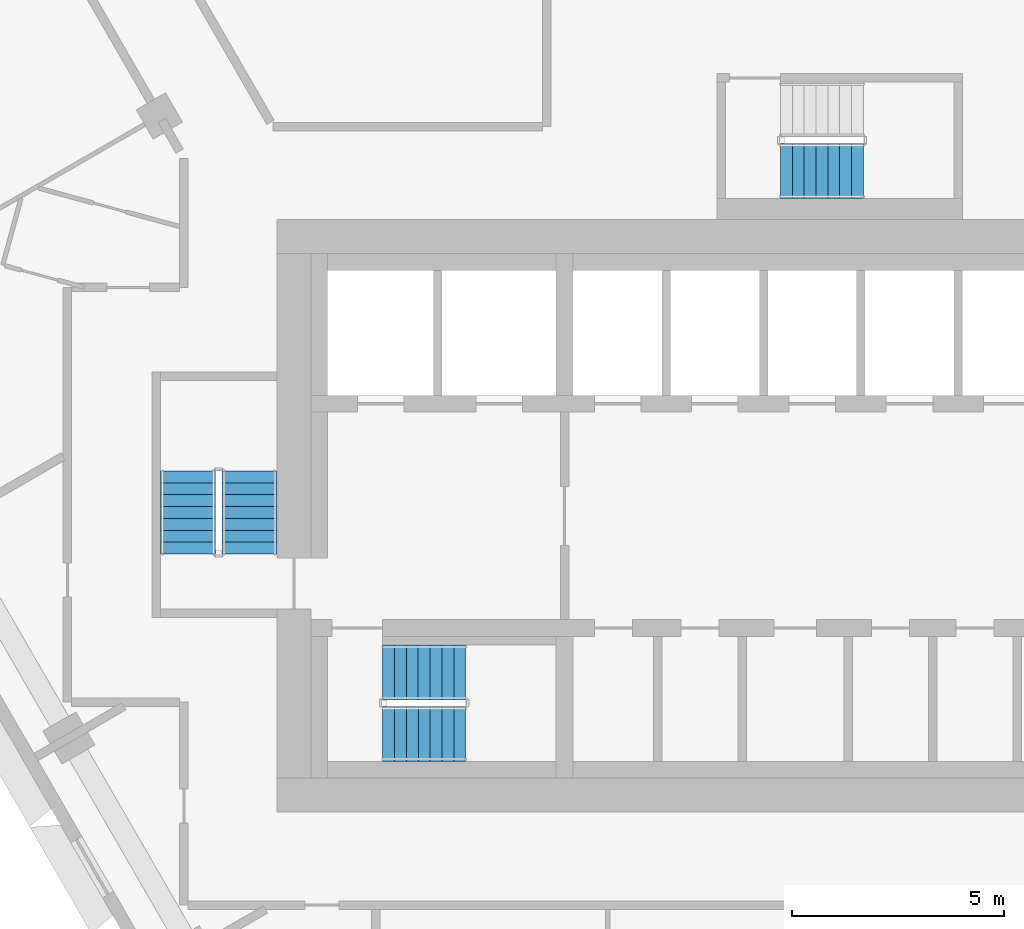
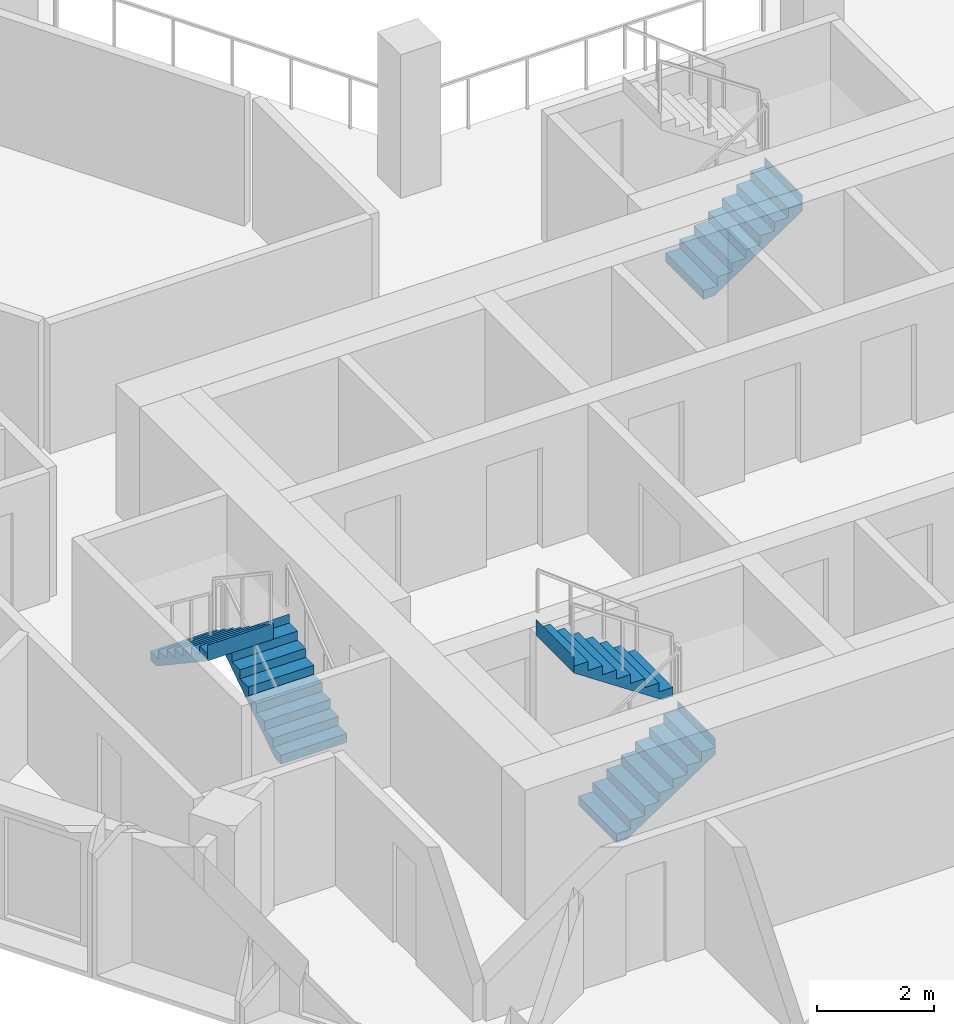
# One storey, part 10 of 15: 5 stair flights, 3 elements without a shape of their own.
"""IFC4 building model written with IfcOpenShell, lengths in metres."""

from ifc_helpers import new_model, si_unit, direction, frame, origin, place, context, subcontext, project, spatial, triangles, material, type_object, element, aggregate, save


model = new_model("IFC4")

# Units and contexts
model_context = context("Model", 3, precision=1e-05, world=origin(), true_north=direction((0.0, 1.0)))
body_context = subcontext(model_context, "Body", "Model", "MODEL_VIEW")
ifc_project = project(units=[si_unit("LENGTHUNIT", "METRE"), si_unit("AREAUNIT", "SQUARE_METRE"), si_unit("VOLUMEUNIT", "CUBIC_METRE"), si_unit("PLANEANGLEUNIT", "RADIAN"), si_unit("MASSUNIT", "GRAM", prefix="KILO")], contexts=[model_context])

# Site, building, storey
site_placement = place(None, origin())
site = spatial("IfcSite", under=ifc_project, at=site_placement, CompositionType="ELEMENT")
building_placement = place(site_placement, origin())
building = spatial("IfcBuilding", under=site, at=building_placement, Name="Beryl Residences", CompositionType="ELEMENT")
storey_placement = place(building_placement, frame((0.0, 0.0, 141.60009765625)))
storey = spatial("IfcBuildingStorey", under=building, at=storey_placement, Name="L43", CompositionType="ELEMENT", Elevation=141.60009765625)

# Stair, stair flights
ifc_material_1 = material(Name="Concrete C40/50", Category="concrete")
stair_type = type_object("IfcStairType", Name="ST1 protected exit stair, half-turn, 1300 mm flights", PredefinedType="HALF_TURN_STAIR", material=ifc_material_1)
stair_1_placement = place(storey_placement, origin())
stair_1 = element("IfcStair", 1, at=stair_1_placement, inside=storey, type_object=stair_type, Name="L43 PROTECTED EXIT STAIR ST-1", PredefinedType="HALF_TURN_STAIR")
ifc_material_2 = material(Name="Concrete C40/50", Category="concrete")
stair_flight_type = type_object("IfcStairFlightType", Name="SF1 stair flight 1300 mm", PredefinedType="STRAIGHT", material=ifc_material_2)
stair_flight_1_placement = place(storey_placement, frame((-10.800048828125, -17.14990234375, 0.0), z_axis=(0.0, 0.0, 1.0), x_axis=(1.0, 0.0, 0.0)))
stair_flight_1 = element("IfcStairFlight", 2, at=stair_flight_1_placement, type_object=stair_flight_type, Name="ST-1 flight 1", NumberOfRisers=8, NumberOfTreads=7, PredefinedType="STRAIGHT", RiserHeight=0.1875, TreadLength=0.28, context=body_context, shape_type="Tessellation", body=[
    triangles([(0.0, -0.64990234375, 0.0), (0.0, -0.324951171875, 0.0), (0.0, 0.0, 0.0), (0.0, 0.324951171875, 0.0), (0.0, 0.64990234375, 0.0), (0.0, -0.64990234375, 0.1875), (0.0, -0.324951171875, 0.1875), (0.0, 0.0, 0.1875), (0.0, 0.324951171875, 0.1875), (0.0, 0.64990234375, 0.1875), (0.280029296875, -0.64990234375, 0.1875), (0.280029296875, -0.324951171875, 0.1875), (0.280029296875, 0.0, 0.1875), (0.280029296875, 0.324951171875, 0.1875), (0.280029296875, 0.64990234375, 0.1875), (0.280029296875, -0.64990234375, 0.375), (0.280029296875, -0.324951171875, 0.375), (0.280029296875, 0.0, 0.375), (0.280029296875, 0.324951171875, 0.375), (0.280029296875, 0.64990234375, 0.375), (0.56005859375, -0.64990234375, 0.375), (0.56005859375, -0.324951171875, 0.375), (0.56005859375, 0.0, 0.375), (0.56005859375, 0.324951171875, 0.375), (0.56005859375, 0.64990234375, 0.375), (0.56005859375, -0.64990234375, 0.5625), (0.56005859375, -0.324951171875, 0.5625), (0.56005859375, 0.0, 0.5625), (0.56005859375, 0.324951171875, 0.5625), (0.56005859375, 0.64990234375, 0.5625), (0.840087890625, -0.64990234375, 0.5625), (0.840087890625, -0.324951171875, 0.5625), (0.840087890625, 0.0, 0.5625), (0.840087890625, 0.324951171875, 0.5625), (0.840087890625, 0.64990234375, 0.5625), (0.840087890625, -0.64990234375, 0.75), (0.840087890625, -0.324951171875, 0.75), (0.840087890625, 0.0, 0.75), (0.840087890625, 0.324951171875, 0.75), (0.840087890625, 0.64990234375, 0.75), (1.1201171875, -0.64990234375, 0.75), (1.1201171875, -0.324951171875, 0.75), (1.1201171875, 0.0, 0.75), (1.1201171875, 0.324951171875, 0.75), (1.1201171875, 0.64990234375, 0.75), (1.1201171875, -0.64990234375, 0.9375), (1.1201171875, -0.324951171875, 0.9375), (1.1201171875, 0.0, 0.9375), (1.1201171875, 0.324951171875, 0.9375), (1.1201171875, 0.64990234375, 0.9375), (1.39990234375, -0.64990234375, 0.9375), (1.39990234375, -0.324951171875, 0.9375), (1.39990234375, 0.0, 0.9375), (1.39990234375, 0.324951171875, 0.9375), (1.39990234375, 0.64990234375, 0.9375), (1.39990234375, -0.64990234375, 1.125), (1.39990234375, -0.324951171875, 1.125), (1.39990234375, 0.0, 1.125), (1.39990234375, 0.324951171875, 1.125), (1.39990234375, 0.64990234375, 1.125), (1.679931640625, -0.64990234375, 1.125), (1.679931640625, -0.324951171875, 1.125), (1.679931640625, 0.0, 1.125), (1.679931640625, 0.324951171875, 1.125), (1.679931640625, 0.64990234375, 1.125), (1.679931640625, -0.64990234375, 1.3125), (1.679931640625, -0.324951171875, 1.3125), (1.679931640625, 0.0, 1.3125), (1.679931640625, 0.324951171875, 1.3125), (1.679931640625, 0.64990234375, 1.3125), (1.9599609375, -0.64990234375, 1.3125), (1.9599609375, -0.324951171875, 1.3125), (1.9599609375, 0.0, 1.3125), (1.9599609375, 0.324951171875, 1.3125), (1.9599609375, 0.64990234375, 1.3125), (1.9599609375, -0.64990234375, 1.5), (1.9599609375, -0.324951171875, 1.5), (1.9599609375, 0.0, 1.5), (1.9599609375, 0.324951171875, 1.5), (1.9599609375, 0.64990234375, 1.5), (1.9609375, -0.64990234375, 1.5), (1.9609375, -0.324951171875, 1.5), (1.9609375, 0.0, 1.5), (1.9609375, 0.324951171875, 1.5), (1.9609375, 0.64990234375, 1.5), (1.9609375, -0.64990234375, 1.16796875), (1.9609375, -0.324951171875, 1.16796875), (1.9609375, 0.0, 1.16796875), (1.9609375, 0.324951171875, 1.16796875), (1.9609375, 0.64990234375, 1.16796875), (0.216796875, -0.64990234375, 0.0), (0.216796875, -0.324951171875, 0.0), (0.216796875, 0.0, 0.0), (0.216796875, 0.324951171875, 0.0), (0.216796875, 0.64990234375, 0.0)], [[1, 6, 7], [1, 7, 2], [2, 7, 8], [2, 8, 3], [3, 8, 9], [3, 9, 4], [4, 9, 10], [4, 10, 5], [6, 11, 12], [6, 12, 7], [7, 12, 13], [7, 13, 8], [8, 13, 14], [8, 14, 9], [9, 14, 15], [9, 15, 10], [11, 16, 17], [11, 17, 12], [12, 17, 18], [12, 18, 13], [13, 18, 19], [13, 19, 14], [14, 19, 20], [14, 20, 15], [16, 21, 22], [16, 22, 17], [17, 22, 23], [17, 23, 18], [18, 23, 24], [18, 24, 19], [19, 24, 25], [19, 25, 20], [21, 26, 27], [21, 27, 22], [22, 27, 28], [22, 28, 23], [23, 28, 29], [23, 29, 24], [24, 29, 30], [24, 30, 25], [26, 31, 32], [26, 32, 27], [27, 32, 33], [27, 33, 28], [28, 33, 34], [28, 34, 29], [29, 34, 35], [29, 35, 30], [31, 36, 37], [31, 37, 32], [32, 37, 38], [32, 38, 33], [33, 38, 39], [33, 39, 34], [34, 39, 40], [34, 40, 35], [36, 41, 42], [36, 42, 37], [37, 42, 43], [37, 43, 38], [38, 43, 44], [38, 44, 39], [39, 44, 45], [39, 45, 40], [41, 46, 47], [41, 47, 42], [42, 47, 48], [42, 48, 43], [43, 48, 49], [43, 49, 44], [44, 49, 50], [44, 50, 45], [46, 51, 52], [46, 52, 47], [47, 52, 53], [47, 53, 48], [48, 53, 54], [48, 54, 49], [49, 54, 55], [49, 55, 50], [51, 56, 57], [51, 57, 52], [52, 57, 58], [52, 58, 53], [53, 58, 59], [53, 59, 54], [54, 59, 60], [54, 60, 55], [56, 61, 62], [56, 62, 57], [57, 62, 63], [57, 63, 58], [58, 63, 64], [58, 64, 59], [59, 64, 65], [59, 65, 60], [61, 66, 67], [61, 67, 62], [62, 67, 68], [62, 68, 63], [63, 68, 69], [63, 69, 64], [64, 69, 70], [64, 70, 65], [66, 71, 72], [66, 72, 67], [67, 72, 73], [67, 73, 68], [68, 73, 74], [68, 74, 69], [69, 74, 75], [69, 75, 70], [71, 76, 77], [71, 77, 72], [72, 77, 78], [72, 78, 73], [73, 78, 79], [73, 79, 74], [74, 79, 80], [74, 80, 75], [76, 81, 82], [76, 82, 77], [77, 82, 83], [77, 83, 78], [78, 83, 84], [78, 84, 79], [79, 84, 85], [79, 85, 80], [81, 86, 87], [81, 87, 82], [82, 87, 88], [82, 88, 83], [83, 88, 89], [83, 89, 84], [84, 89, 90], [84, 90, 85], [86, 91, 92], [86, 92, 87], [87, 92, 93], [87, 93, 88], [88, 93, 94], [88, 94, 89], [89, 94, 95], [89, 95, 90], [91, 1, 2], [91, 2, 92], [92, 2, 3], [92, 3, 93], [93, 3, 4], [93, 4, 94], [94, 4, 5], [94, 5, 95], [1, 91, 86], [5, 90, 95], [86, 81, 76], [90, 80, 85], [86, 76, 71], [90, 75, 80], [86, 71, 66], [90, 70, 75], [86, 66, 61], [90, 65, 70], [61, 56, 51], [65, 55, 60], [86, 61, 51], [90, 55, 65], [51, 46, 41], [55, 45, 50], [86, 51, 41], [90, 45, 55], [41, 36, 31], [45, 35, 40], [86, 41, 31], [90, 35, 45], [31, 26, 21], [35, 25, 30], [86, 31, 21], [90, 25, 35], [21, 16, 11], [25, 15, 20], [86, 21, 11], [90, 15, 25], [1, 86, 11], [5, 15, 90], [11, 6, 1], [15, 5, 10]], closed=True),
])
stair_flight_2_placement = place(storey_placement, frame((-8.840087890625, -15.699951171875, 1.5), z_axis=(0.0, 0.0, 1.0), x_axis=(-1.0, 0.0, 0.0)))
stair_flight_2 = element("IfcStairFlight", 3, at=stair_flight_2_placement, type_object=stair_flight_type, Name="ST-1 flight 2", NumberOfRisers=8, NumberOfTreads=7, PredefinedType="STRAIGHT", RiserHeight=0.1875, TreadLength=0.28, context=body_context, shape_type="Tessellation", body=[
    triangles([(0.0, -0.64990234375, 0.0), (0.0, -0.324951171875, 0.0), (0.0, 0.0, 0.0), (0.0, 0.324951171875, 0.0), (0.0, 0.64990234375, 0.0), (0.0, -0.64990234375, 0.1875), (0.0, -0.324951171875, 0.1875), (0.0, 0.0, 0.1875), (0.0, 0.324951171875, 0.1875), (0.0, 0.64990234375, 0.1875), (0.280029296875, -0.64990234375, 0.1875), (0.280029296875, -0.324951171875, 0.1875), (0.280029296875, 0.0, 0.1875), (0.280029296875, 0.324951171875, 0.1875), (0.280029296875, 0.64990234375, 0.1875), (0.280029296875, -0.64990234375, 0.375), (0.280029296875, -0.324951171875, 0.375), (0.280029296875, 0.0, 0.375), (0.280029296875, 0.324951171875, 0.375), (0.280029296875, 0.64990234375, 0.375), (0.56005859375, -0.64990234375, 0.375), (0.56005859375, -0.324951171875, 0.375), (0.56005859375, 0.0, 0.375), (0.56005859375, 0.324951171875, 0.375), (0.56005859375, 0.64990234375, 0.375), (0.56005859375, -0.64990234375, 0.5625), (0.56005859375, -0.324951171875, 0.5625), (0.56005859375, 0.0, 0.5625), (0.56005859375, 0.324951171875, 0.5625), (0.56005859375, 0.64990234375, 0.5625), (0.840087890625, -0.64990234375, 0.5625), (0.840087890625, -0.324951171875, 0.5625), (0.840087890625, 0.0, 0.5625), (0.840087890625, 0.324951171875, 0.5625), (0.840087890625, 0.64990234375, 0.5625), (0.840087890625, -0.64990234375, 0.75), (0.840087890625, -0.324951171875, 0.75), (0.840087890625, 0.0, 0.75), (0.840087890625, 0.324951171875, 0.75), (0.840087890625, 0.64990234375, 0.75), (1.1201171875, -0.64990234375, 0.75), (1.1201171875, -0.324951171875, 0.75), (1.1201171875, 0.0, 0.75), (1.1201171875, 0.324951171875, 0.75), (1.1201171875, 0.64990234375, 0.75), (1.1201171875, -0.64990234375, 0.9375), (1.1201171875, -0.324951171875, 0.9375), (1.1201171875, 0.0, 0.9375), (1.1201171875, 0.324951171875, 0.9375), (1.1201171875, 0.64990234375, 0.9375), (1.39990234375, -0.64990234375, 0.9375), (1.39990234375, -0.324951171875, 0.9375), (1.39990234375, 0.0, 0.9375), (1.39990234375, 0.324951171875, 0.9375), (1.39990234375, 0.64990234375, 0.9375), (1.39990234375, -0.64990234375, 1.125), (1.39990234375, -0.324951171875, 1.125), (1.39990234375, 0.0, 1.125), (1.39990234375, 0.324951171875, 1.125), (1.39990234375, 0.64990234375, 1.125), (1.679931640625, -0.64990234375, 1.125), (1.679931640625, -0.324951171875, 1.125), (1.679931640625, 0.0, 1.125), (1.679931640625, 0.324951171875, 1.125), (1.679931640625, 0.64990234375, 1.125), (1.679931640625, -0.64990234375, 1.3125), (1.679931640625, -0.324951171875, 1.3125), (1.679931640625, 0.0, 1.3125), (1.679931640625, 0.324951171875, 1.3125), (1.679931640625, 0.64990234375, 1.3125), (1.9599609375, -0.64990234375, 1.3125), (1.9599609375, -0.324951171875, 1.3125), (1.9599609375, 0.0, 1.3125), (1.9599609375, 0.324951171875, 1.3125), (1.9599609375, 0.64990234375, 1.3125), (1.9599609375, -0.64990234375, 1.5), (1.9599609375, -0.324951171875, 1.5), (1.9599609375, 0.0, 1.5), (1.9599609375, 0.324951171875, 1.5), (1.9599609375, 0.64990234375, 1.5), (1.9609375, -0.64990234375, 1.5), (1.9609375, -0.324951171875, 1.5), (1.9609375, 0.0, 1.5), (1.9609375, 0.324951171875, 1.5), (1.9609375, 0.64990234375, 1.5), (1.9609375, -0.64990234375, 1.16796875), (1.9609375, -0.324951171875, 1.16796875), (1.9609375, 0.0, 1.16796875), (1.9609375, 0.324951171875, 1.16796875), (1.9609375, 0.64990234375, 1.16796875), (0.216796875, -0.64990234375, 0.0), (0.216796875, -0.324951171875, 0.0), (0.216796875, 0.0, 0.0), (0.216796875, 0.324951171875, 0.0), (0.216796875, 0.64990234375, 0.0)], [[1, 6, 7], [1, 7, 2], [2, 7, 8], [2, 8, 3], [3, 8, 9], [3, 9, 4], [4, 9, 10], [4, 10, 5], [6, 11, 12], [6, 12, 7], [7, 12, 13], [7, 13, 8], [8, 13, 14], [8, 14, 9], [9, 14, 15], [9, 15, 10], [11, 16, 17], [11, 17, 12], [12, 17, 18], [12, 18, 13], [13, 18, 19], [13, 19, 14], [14, 19, 20], [14, 20, 15], [16, 21, 22], [16, 22, 17], [17, 22, 23], [17, 23, 18], [18, 23, 24], [18, 24, 19], [19, 24, 25], [19, 25, 20], [21, 26, 27], [21, 27, 22], [22, 27, 28], [22, 28, 23], [23, 28, 29], [23, 29, 24], [24, 29, 30], [24, 30, 25], [26, 31, 32], [26, 32, 27], [27, 32, 33], [27, 33, 28], [28, 33, 34], [28, 34, 29], [29, 34, 35], [29, 35, 30], [31, 36, 37], [31, 37, 32], [32, 37, 38], [32, 38, 33], [33, 38, 39], [33, 39, 34], [34, 39, 40], [34, 40, 35], [36, 41, 42], [36, 42, 37], [37, 42, 43], [37, 43, 38], [38, 43, 44], [38, 44, 39], [39, 44, 45], [39, 45, 40], [41, 46, 47], [41, 47, 42], [42, 47, 48], [42, 48, 43], [43, 48, 49], [43, 49, 44], [44, 49, 50], [44, 50, 45], [46, 51, 52], [46, 52, 47], [47, 52, 53], [47, 53, 48], [48, 53, 54], [48, 54, 49], [49, 54, 55], [49, 55, 50], [51, 56, 57], [51, 57, 52], [52, 57, 58], [52, 58, 53], [53, 58, 59], [53, 59, 54], [54, 59, 60], [54, 60, 55], [56, 61, 62], [56, 62, 57], [57, 62, 63], [57, 63, 58], [58, 63, 64], [58, 64, 59], [59, 64, 65], [59, 65, 60], [61, 66, 67], [61, 67, 62], [62, 67, 68], [62, 68, 63], [63, 68, 69], [63, 69, 64], [64, 69, 70], [64, 70, 65], [66, 71, 72], [66, 72, 67], [67, 72, 73], [67, 73, 68], [68, 73, 74], [68, 74, 69], [69, 74, 75], [69, 75, 70], [71, 76, 77], [71, 77, 72], [72, 77, 78], [72, 78, 73], [73, 78, 79], [73, 79, 74], [74, 79, 80], [74, 80, 75], [76, 81, 82], [76, 82, 77], [77, 82, 83], [77, 83, 78], [78, 83, 84], [78, 84, 79], [79, 84, 85], [79, 85, 80], [81, 86, 87], [81, 87, 82], [82, 87, 88], [82, 88, 83], [83, 88, 89], [83, 89, 84], [84, 89, 90], [84, 90, 85], [86, 91, 92], [86, 92, 87], [87, 92, 93], [87, 93, 88], [88, 93, 94], [88, 94, 89], [89, 94, 95], [89, 95, 90], [91, 1, 2], [91, 2, 92], [92, 2, 3], [92, 3, 93], [93, 3, 4], [93, 4, 94], [94, 4, 5], [94, 5, 95], [1, 91, 86], [5, 90, 95], [86, 81, 76], [90, 80, 85], [86, 76, 71], [90, 75, 80], [86, 71, 66], [90, 70, 75], [86, 66, 61], [90, 65, 70], [61, 56, 51], [65, 55, 60], [86, 61, 51], [90, 55, 65], [51, 46, 41], [55, 45, 50], [86, 51, 41], [90, 45, 55], [41, 36, 31], [45, 35, 40], [86, 41, 31], [90, 35, 45], [31, 26, 21], [35, 25, 30], [86, 31, 21], [90, 25, 35], [21, 16, 11], [25, 15, 20], [86, 21, 11], [90, 15, 25], [1, 86, 11], [5, 15, 90], [11, 6, 1], [15, 5, 10]], closed=True),
])
aggregate(stair_1, [stair_flight_1, stair_flight_2])

stair_2_placement = place(storey_placement, origin())
stair_2 = element("IfcStair", 4, at=stair_2_placement, inside=storey, type_object=stair_type, Name="L43 PROTECTED EXIT STAIR ST-2", PredefinedType="HALF_TURN_STAIR")
stair_flight_3_placement = place(storey_placement, frame((-13.949951171875, -12.89990234375, 0.0), z_axis=(0.0, 0.0, 1.0), x_axis=(0.0, 1.0, 0.0)))
stair_flight_3 = element("IfcStairFlight", 5, at=stair_flight_3_placement, type_object=stair_flight_type, Name="ST-2 flight 1", NumberOfRisers=8, NumberOfTreads=7, PredefinedType="STRAIGHT", RiserHeight=0.1875, TreadLength=0.28, context=body_context, shape_type="Tessellation", body=[
    triangles([(0.0, -0.64990234375, 0.0), (0.0, -0.324951171875, 0.0), (0.0, 0.0, 0.0), (0.0, 0.324951171875, 0.0), (0.0, 0.64990234375, 0.0), (0.0, -0.64990234375, 0.1875), (0.0, -0.324951171875, 0.1875), (0.0, 0.0, 0.1875), (0.0, 0.324951171875, 0.1875), (0.0, 0.64990234375, 0.1875), (0.280029296875, -0.64990234375, 0.1875), (0.280029296875, -0.324951171875, 0.1875), (0.280029296875, 0.0, 0.1875), (0.280029296875, 0.324951171875, 0.1875), (0.280029296875, 0.64990234375, 0.1875), (0.280029296875, -0.64990234375, 0.375), (0.280029296875, -0.324951171875, 0.375), (0.280029296875, 0.0, 0.375), (0.280029296875, 0.324951171875, 0.375), (0.280029296875, 0.64990234375, 0.375), (0.56005859375, -0.64990234375, 0.375), (0.56005859375, -0.324951171875, 0.375), (0.56005859375, 0.0, 0.375), (0.56005859375, 0.324951171875, 0.375), (0.56005859375, 0.64990234375, 0.375), (0.56005859375, -0.64990234375, 0.5625), (0.56005859375, -0.324951171875, 0.5625), (0.56005859375, 0.0, 0.5625), (0.56005859375, 0.324951171875, 0.5625), (0.56005859375, 0.64990234375, 0.5625), (0.840087890625, -0.64990234375, 0.5625), (0.840087890625, -0.324951171875, 0.5625), (0.840087890625, 0.0, 0.5625), (0.840087890625, 0.324951171875, 0.5625), (0.840087890625, 0.64990234375, 0.5625), (0.840087890625, -0.64990234375, 0.75), (0.840087890625, -0.324951171875, 0.75), (0.840087890625, 0.0, 0.75), (0.840087890625, 0.324951171875, 0.75), (0.840087890625, 0.64990234375, 0.75), (1.1201171875, -0.64990234375, 0.75), (1.1201171875, -0.324951171875, 0.75), (1.1201171875, 0.0, 0.75), (1.1201171875, 0.324951171875, 0.75), (1.1201171875, 0.64990234375, 0.75), (1.1201171875, -0.64990234375, 0.9375), (1.1201171875, -0.324951171875, 0.9375), (1.1201171875, 0.0, 0.9375), (1.1201171875, 0.324951171875, 0.9375), (1.1201171875, 0.64990234375, 0.9375), (1.39990234375, -0.64990234375, 0.9375), (1.39990234375, -0.324951171875, 0.9375), (1.39990234375, 0.0, 0.9375), (1.39990234375, 0.324951171875, 0.9375), (1.39990234375, 0.64990234375, 0.9375), (1.39990234375, -0.64990234375, 1.125), (1.39990234375, -0.324951171875, 1.125), (1.39990234375, 0.0, 1.125), (1.39990234375, 0.324951171875, 1.125), (1.39990234375, 0.64990234375, 1.125), (1.679931640625, -0.64990234375, 1.125), (1.679931640625, -0.324951171875, 1.125), (1.679931640625, 0.0, 1.125), (1.679931640625, 0.324951171875, 1.125), (1.679931640625, 0.64990234375, 1.125), (1.679931640625, -0.64990234375, 1.3125), (1.679931640625, -0.324951171875, 1.3125), (1.679931640625, 0.0, 1.3125), (1.679931640625, 0.324951171875, 1.3125), (1.679931640625, 0.64990234375, 1.3125), (1.9599609375, -0.64990234375, 1.3125), (1.9599609375, -0.324951171875, 1.3125), (1.9599609375, 0.0, 1.3125), (1.9599609375, 0.324951171875, 1.3125), (1.9599609375, 0.64990234375, 1.3125), (1.9599609375, -0.64990234375, 1.5), (1.9599609375, -0.324951171875, 1.5), (1.9599609375, 0.0, 1.5), (1.9599609375, 0.324951171875, 1.5), (1.9599609375, 0.64990234375, 1.5), (1.9609375, -0.64990234375, 1.5), (1.9609375, -0.324951171875, 1.5), (1.9609375, 0.0, 1.5), (1.9609375, 0.324951171875, 1.5), (1.9609375, 0.64990234375, 1.5), (1.9609375, -0.64990234375, 1.16796875), (1.9609375, -0.324951171875, 1.16796875), (1.9609375, 0.0, 1.16796875), (1.9609375, 0.324951171875, 1.16796875), (1.9609375, 0.64990234375, 1.16796875), (0.216796875, -0.64990234375, 0.0), (0.216796875, -0.324951171875, 0.0), (0.216796875, 0.0, 0.0), (0.216796875, 0.324951171875, 0.0), (0.216796875, 0.64990234375, 0.0)], [[1, 6, 7], [1, 7, 2], [2, 7, 8], [2, 8, 3], [3, 8, 9], [3, 9, 4], [4, 9, 10], [4, 10, 5], [6, 11, 12], [6, 12, 7], [7, 12, 13], [7, 13, 8], [8, 13, 14], [8, 14, 9], [9, 14, 15], [9, 15, 10], [11, 16, 17], [11, 17, 12], [12, 17, 18], [12, 18, 13], [13, 18, 19], [13, 19, 14], [14, 19, 20], [14, 20, 15], [16, 21, 22], [16, 22, 17], [17, 22, 23], [17, 23, 18], [18, 23, 24], [18, 24, 19], [19, 24, 25], [19, 25, 20], [21, 26, 27], [21, 27, 22], [22, 27, 28], [22, 28, 23], [23, 28, 29], [23, 29, 24], [24, 29, 30], [24, 30, 25], [26, 31, 32], [26, 32, 27], [27, 32, 33], [27, 33, 28], [28, 33, 34], [28, 34, 29], [29, 34, 35], [29, 35, 30], [31, 36, 37], [31, 37, 32], [32, 37, 38], [32, 38, 33], [33, 38, 39], [33, 39, 34], [34, 39, 40], [34, 40, 35], [36, 41, 42], [36, 42, 37], [37, 42, 43], [37, 43, 38], [38, 43, 44], [38, 44, 39], [39, 44, 45], [39, 45, 40], [41, 46, 47], [41, 47, 42], [42, 47, 48], [42, 48, 43], [43, 48, 49], [43, 49, 44], [44, 49, 50], [44, 50, 45], [46, 51, 52], [46, 52, 47], [47, 52, 53], [47, 53, 48], [48, 53, 54], [48, 54, 49], [49, 54, 55], [49, 55, 50], [51, 56, 57], [51, 57, 52], [52, 57, 58], [52, 58, 53], [53, 58, 59], [53, 59, 54], [54, 59, 60], [54, 60, 55], [56, 61, 62], [56, 62, 57], [57, 62, 63], [57, 63, 58], [58, 63, 64], [58, 64, 59], [59, 64, 65], [59, 65, 60], [61, 66, 67], [61, 67, 62], [62, 67, 68], [62, 68, 63], [63, 68, 69], [63, 69, 64], [64, 69, 70], [64, 70, 65], [66, 71, 72], [66, 72, 67], [67, 72, 73], [67, 73, 68], [68, 73, 74], [68, 74, 69], [69, 74, 75], [69, 75, 70], [71, 76, 77], [71, 77, 72], [72, 77, 78], [72, 78, 73], [73, 78, 79], [73, 79, 74], [74, 79, 80], [74, 80, 75], [76, 81, 82], [76, 82, 77], [77, 82, 83], [77, 83, 78], [78, 83, 84], [78, 84, 79], [79, 84, 85], [79, 85, 80], [81, 86, 87], [81, 87, 82], [82, 87, 88], [82, 88, 83], [83, 88, 89], [83, 89, 84], [84, 89, 90], [84, 90, 85], [86, 91, 92], [86, 92, 87], [87, 92, 93], [87, 93, 88], [88, 93, 94], [88, 94, 89], [89, 94, 95], [89, 95, 90], [91, 1, 2], [91, 2, 92], [92, 2, 3], [92, 3, 93], [93, 3, 4], [93, 4, 94], [94, 4, 5], [94, 5, 95], [1, 91, 86], [5, 90, 95], [86, 81, 76], [90, 80, 85], [86, 76, 71], [90, 75, 80], [86, 71, 66], [90, 70, 75], [86, 66, 61], [90, 65, 70], [61, 56, 51], [65, 55, 60], [86, 61, 51], [90, 55, 65], [51, 46, 41], [55, 45, 50], [86, 51, 41], [90, 45, 55], [41, 36, 31], [45, 35, 40], [86, 41, 31], [90, 35, 45], [31, 26, 21], [35, 25, 30], [86, 31, 21], [90, 25, 35], [21, 16, 11], [25, 15, 20], [86, 21, 11], [90, 15, 25], [1, 86, 11], [5, 15, 90], [11, 6, 1], [15, 5, 10]], closed=True),
])
stair_flight_4_placement = place(storey_placement, frame((-15.39990234375, -10.93994140625, 1.5), z_axis=(0.0, 0.0, 1.0), x_axis=(0.0, -1.0, 0.0)))
stair_flight_4 = element("IfcStairFlight", 6, at=stair_flight_4_placement, type_object=stair_flight_type, Name="ST-2 flight 2", NumberOfRisers=8, NumberOfTreads=7, PredefinedType="STRAIGHT", RiserHeight=0.1875, TreadLength=0.28, context=body_context, shape_type="Tessellation", body=[
    triangles([(0.0, -0.64990234375, 0.0), (0.0, -0.324951171875, 0.0), (0.0, 0.0, 0.0), (0.0, 0.324951171875, 0.0), (0.0, 0.64990234375, 0.0), (0.0, -0.64990234375, 0.1875), (0.0, -0.324951171875, 0.1875), (0.0, 0.0, 0.1875), (0.0, 0.324951171875, 0.1875), (0.0, 0.64990234375, 0.1875), (0.280029296875, -0.64990234375, 0.1875), (0.280029296875, -0.324951171875, 0.1875), (0.280029296875, 0.0, 0.1875), (0.280029296875, 0.324951171875, 0.1875), (0.280029296875, 0.64990234375, 0.1875), (0.280029296875, -0.64990234375, 0.375), (0.280029296875, -0.324951171875, 0.375), (0.280029296875, 0.0, 0.375), (0.280029296875, 0.324951171875, 0.375), (0.280029296875, 0.64990234375, 0.375), (0.56005859375, -0.64990234375, 0.375), (0.56005859375, -0.324951171875, 0.375), (0.56005859375, 0.0, 0.375), (0.56005859375, 0.324951171875, 0.375), (0.56005859375, 0.64990234375, 0.375), (0.56005859375, -0.64990234375, 0.5625), (0.56005859375, -0.324951171875, 0.5625), (0.56005859375, 0.0, 0.5625), (0.56005859375, 0.324951171875, 0.5625), (0.56005859375, 0.64990234375, 0.5625), (0.840087890625, -0.64990234375, 0.5625), (0.840087890625, -0.324951171875, 0.5625), (0.840087890625, 0.0, 0.5625), (0.840087890625, 0.324951171875, 0.5625), (0.840087890625, 0.64990234375, 0.5625), (0.840087890625, -0.64990234375, 0.75), (0.840087890625, -0.324951171875, 0.75), (0.840087890625, 0.0, 0.75), (0.840087890625, 0.324951171875, 0.75), (0.840087890625, 0.64990234375, 0.75), (1.1201171875, -0.64990234375, 0.75), (1.1201171875, -0.324951171875, 0.75), (1.1201171875, 0.0, 0.75), (1.1201171875, 0.324951171875, 0.75), (1.1201171875, 0.64990234375, 0.75), (1.1201171875, -0.64990234375, 0.9375), (1.1201171875, -0.324951171875, 0.9375), (1.1201171875, 0.0, 0.9375), (1.1201171875, 0.324951171875, 0.9375), (1.1201171875, 0.64990234375, 0.9375), (1.39990234375, -0.64990234375, 0.9375), (1.39990234375, -0.324951171875, 0.9375), (1.39990234375, 0.0, 0.9375), (1.39990234375, 0.324951171875, 0.9375), (1.39990234375, 0.64990234375, 0.9375), (1.39990234375, -0.64990234375, 1.125), (1.39990234375, -0.324951171875, 1.125), (1.39990234375, 0.0, 1.125), (1.39990234375, 0.324951171875, 1.125), (1.39990234375, 0.64990234375, 1.125), (1.679931640625, -0.64990234375, 1.125), (1.679931640625, -0.324951171875, 1.125), (1.679931640625, 0.0, 1.125), (1.679931640625, 0.324951171875, 1.125), (1.679931640625, 0.64990234375, 1.125), (1.679931640625, -0.64990234375, 1.3125), (1.679931640625, -0.324951171875, 1.3125), (1.679931640625, 0.0, 1.3125), (1.679931640625, 0.324951171875, 1.3125), (1.679931640625, 0.64990234375, 1.3125), (1.9599609375, -0.64990234375, 1.3125), (1.9599609375, -0.324951171875, 1.3125), (1.9599609375, 0.0, 1.3125), (1.9599609375, 0.324951171875, 1.3125), (1.9599609375, 0.64990234375, 1.3125), (1.9599609375, -0.64990234375, 1.5), (1.9599609375, -0.324951171875, 1.5), (1.9599609375, 0.0, 1.5), (1.9599609375, 0.324951171875, 1.5), (1.9599609375, 0.64990234375, 1.5), (1.9609375, -0.64990234375, 1.5), (1.9609375, -0.324951171875, 1.5), (1.9609375, 0.0, 1.5), (1.9609375, 0.324951171875, 1.5), (1.9609375, 0.64990234375, 1.5), (1.9609375, -0.64990234375, 1.16796875), (1.9609375, -0.324951171875, 1.16796875), (1.9609375, 0.0, 1.16796875), (1.9609375, 0.324951171875, 1.16796875), (1.9609375, 0.64990234375, 1.16796875), (0.216796875, -0.64990234375, 0.0), (0.216796875, -0.324951171875, 0.0), (0.216796875, 0.0, 0.0), (0.216796875, 0.324951171875, 0.0), (0.216796875, 0.64990234375, 0.0)], [[1, 6, 7], [1, 7, 2], [2, 7, 8], [2, 8, 3], [3, 8, 9], [3, 9, 4], [4, 9, 10], [4, 10, 5], [6, 11, 12], [6, 12, 7], [7, 12, 13], [7, 13, 8], [8, 13, 14], [8, 14, 9], [9, 14, 15], [9, 15, 10], [11, 16, 17], [11, 17, 12], [12, 17, 18], [12, 18, 13], [13, 18, 19], [13, 19, 14], [14, 19, 20], [14, 20, 15], [16, 21, 22], [16, 22, 17], [17, 22, 23], [17, 23, 18], [18, 23, 24], [18, 24, 19], [19, 24, 25], [19, 25, 20], [21, 26, 27], [21, 27, 22], [22, 27, 28], [22, 28, 23], [23, 28, 29], [23, 29, 24], [24, 29, 30], [24, 30, 25], [26, 31, 32], [26, 32, 27], [27, 32, 33], [27, 33, 28], [28, 33, 34], [28, 34, 29], [29, 34, 35], [29, 35, 30], [31, 36, 37], [31, 37, 32], [32, 37, 38], [32, 38, 33], [33, 38, 39], [33, 39, 34], [34, 39, 40], [34, 40, 35], [36, 41, 42], [36, 42, 37], [37, 42, 43], [37, 43, 38], [38, 43, 44], [38, 44, 39], [39, 44, 45], [39, 45, 40], [41, 46, 47], [41, 47, 42], [42, 47, 48], [42, 48, 43], [43, 48, 49], [43, 49, 44], [44, 49, 50], [44, 50, 45], [46, 51, 52], [46, 52, 47], [47, 52, 53], [47, 53, 48], [48, 53, 54], [48, 54, 49], [49, 54, 55], [49, 55, 50], [51, 56, 57], [51, 57, 52], [52, 57, 58], [52, 58, 53], [53, 58, 59], [53, 59, 54], [54, 59, 60], [54, 60, 55], [56, 61, 62], [56, 62, 57], [57, 62, 63], [57, 63, 58], [58, 63, 64], [58, 64, 59], [59, 64, 65], [59, 65, 60], [61, 66, 67], [61, 67, 62], [62, 67, 68], [62, 68, 63], [63, 68, 69], [63, 69, 64], [64, 69, 70], [64, 70, 65], [66, 71, 72], [66, 72, 67], [67, 72, 73], [67, 73, 68], [68, 73, 74], [68, 74, 69], [69, 74, 75], [69, 75, 70], [71, 76, 77], [71, 77, 72], [72, 77, 78], [72, 78, 73], [73, 78, 79], [73, 79, 74], [74, 79, 80], [74, 80, 75], [76, 81, 82], [76, 82, 77], [77, 82, 83], [77, 83, 78], [78, 83, 84], [78, 84, 79], [79, 84, 85], [79, 85, 80], [81, 86, 87], [81, 87, 82], [82, 87, 88], [82, 88, 83], [83, 88, 89], [83, 89, 84], [84, 89, 90], [84, 90, 85], [86, 91, 92], [86, 92, 87], [87, 92, 93], [87, 93, 88], [88, 93, 94], [88, 94, 89], [89, 94, 95], [89, 95, 90], [91, 1, 2], [91, 2, 92], [92, 2, 3], [92, 3, 93], [93, 3, 4], [93, 4, 94], [94, 4, 5], [94, 5, 95], [1, 91, 86], [5, 90, 95], [86, 81, 76], [90, 80, 85], [86, 76, 71], [90, 75, 80], [86, 71, 66], [90, 70, 75], [86, 66, 61], [90, 65, 70], [61, 56, 51], [65, 55, 60], [86, 61, 51], [90, 55, 65], [51, 46, 41], [55, 45, 50], [86, 51, 41], [90, 45, 55], [41, 36, 31], [45, 35, 40], [86, 41, 31], [90, 35, 45], [31, 26, 21], [35, 25, 30], [86, 31, 21], [90, 25, 35], [21, 16, 11], [25, 15, 20], [86, 21, 11], [90, 15, 25], [1, 86, 11], [5, 15, 90], [11, 6, 1], [15, 5, 10]], closed=True),
])
aggregate(stair_2, [stair_flight_3, stair_flight_4])

# Stair, stair flight
stair_3_placement = place(storey_placement, origin())
stair_3 = element("IfcStair", 7, at=stair_3_placement, inside=storey, type_object=stair_type, Name="L43 PROTECTED EXIT STAIR ST-4", PredefinedType="HALF_TURN_STAIR")
stair_flight_5_placement = place(storey_placement, frame((-1.39990234375, -3.85009765625, 0.0), z_axis=(0.0, 0.0, 1.0), x_axis=(1.0, 0.0, 0.0)))
stair_flight_5 = element("IfcStairFlight", 8, at=stair_flight_5_placement, type_object=stair_flight_type, Name="ST-4 flight 1", NumberOfRisers=8, NumberOfTreads=7, PredefinedType="STRAIGHT", RiserHeight=0.1875, TreadLength=0.28, context=body_context, shape_type="Tessellation", body=[
    triangles([(0.0, -0.64990234375, 0.0), (0.0, -0.324951171875, 0.0), (0.0, 0.0, 0.0), (0.0, 0.324951171875, 0.0), (0.0, 0.64990234375, 0.0), (0.0, -0.64990234375, 0.1875), (0.0, -0.324951171875, 0.1875), (0.0, 0.0, 0.1875), (0.0, 0.324951171875, 0.1875), (0.0, 0.64990234375, 0.1875), (0.280029296875, -0.64990234375, 0.1875), (0.280029296875, -0.324951171875, 0.1875), (0.280029296875, 0.0, 0.1875), (0.280029296875, 0.324951171875, 0.1875), (0.280029296875, 0.64990234375, 0.1875), (0.280029296875, -0.64990234375, 0.375), (0.280029296875, -0.324951171875, 0.375), (0.280029296875, 0.0, 0.375), (0.280029296875, 0.324951171875, 0.375), (0.280029296875, 0.64990234375, 0.375), (0.56005859375, -0.64990234375, 0.375), (0.56005859375, -0.324951171875, 0.375), (0.56005859375, 0.0, 0.375), (0.56005859375, 0.324951171875, 0.375), (0.56005859375, 0.64990234375, 0.375), (0.56005859375, -0.64990234375, 0.5625), (0.56005859375, -0.324951171875, 0.5625), (0.56005859375, 0.0, 0.5625), (0.56005859375, 0.324951171875, 0.5625), (0.56005859375, 0.64990234375, 0.5625), (0.840087890625, -0.64990234375, 0.5625), (0.840087890625, -0.324951171875, 0.5625), (0.840087890625, 0.0, 0.5625), (0.840087890625, 0.324951171875, 0.5625), (0.840087890625, 0.64990234375, 0.5625), (0.840087890625, -0.64990234375, 0.75), (0.840087890625, -0.324951171875, 0.75), (0.840087890625, 0.0, 0.75), (0.840087890625, 0.324951171875, 0.75), (0.840087890625, 0.64990234375, 0.75), (1.1201171875, -0.64990234375, 0.75), (1.1201171875, -0.324951171875, 0.75), (1.1201171875, 0.0, 0.75), (1.1201171875, 0.324951171875, 0.75), (1.1201171875, 0.64990234375, 0.75), (1.1201171875, -0.64990234375, 0.9375), (1.1201171875, -0.324951171875, 0.9375), (1.1201171875, 0.0, 0.9375), (1.1201171875, 0.324951171875, 0.9375), (1.1201171875, 0.64990234375, 0.9375), (1.39990234375, -0.64990234375, 0.9375), (1.39990234375, -0.324951171875, 0.9375), (1.39990234375, 0.0, 0.9375), (1.39990234375, 0.324951171875, 0.9375), (1.39990234375, 0.64990234375, 0.9375), (1.39990234375, -0.64990234375, 1.125), (1.39990234375, -0.324951171875, 1.125), (1.39990234375, 0.0, 1.125), (1.39990234375, 0.324951171875, 1.125), (1.39990234375, 0.64990234375, 1.125), (1.679931640625, -0.64990234375, 1.125), (1.679931640625, -0.324951171875, 1.125), (1.679931640625, 0.0, 1.125), (1.679931640625, 0.324951171875, 1.125), (1.679931640625, 0.64990234375, 1.125), (1.679931640625, -0.64990234375, 1.3125), (1.679931640625, -0.324951171875, 1.3125), (1.679931640625, 0.0, 1.3125), (1.679931640625, 0.324951171875, 1.3125), (1.679931640625, 0.64990234375, 1.3125), (1.9599609375, -0.64990234375, 1.3125), (1.9599609375, -0.324951171875, 1.3125), (1.9599609375, 0.0, 1.3125), (1.9599609375, 0.324951171875, 1.3125), (1.9599609375, 0.64990234375, 1.3125), (1.9599609375, -0.64990234375, 1.5), (1.9599609375, -0.324951171875, 1.5), (1.9599609375, 0.0, 1.5), (1.9599609375, 0.324951171875, 1.5), (1.9599609375, 0.64990234375, 1.5), (1.9609375, -0.64990234375, 1.5), (1.9609375, -0.324951171875, 1.5), (1.9609375, 0.0, 1.5), (1.9609375, 0.324951171875, 1.5), (1.9609375, 0.64990234375, 1.5), (1.9609375, -0.64990234375, 1.16796875), (1.9609375, -0.324951171875, 1.16796875), (1.9609375, 0.0, 1.16796875), (1.9609375, 0.324951171875, 1.16796875), (1.9609375, 0.64990234375, 1.16796875), (0.216796875, -0.64990234375, 0.0), (0.216796875, -0.324951171875, 0.0), (0.216796875, 0.0, 0.0), (0.216796875, 0.324951171875, 0.0), (0.216796875, 0.64990234375, 0.0)], [[1, 6, 7], [1, 7, 2], [2, 7, 8], [2, 8, 3], [3, 8, 9], [3, 9, 4], [4, 9, 10], [4, 10, 5], [6, 11, 12], [6, 12, 7], [7, 12, 13], [7, 13, 8], [8, 13, 14], [8, 14, 9], [9, 14, 15], [9, 15, 10], [11, 16, 17], [11, 17, 12], [12, 17, 18], [12, 18, 13], [13, 18, 19], [13, 19, 14], [14, 19, 20], [14, 20, 15], [16, 21, 22], [16, 22, 17], [17, 22, 23], [17, 23, 18], [18, 23, 24], [18, 24, 19], [19, 24, 25], [19, 25, 20], [21, 26, 27], [21, 27, 22], [22, 27, 28], [22, 28, 23], [23, 28, 29], [23, 29, 24], [24, 29, 30], [24, 30, 25], [26, 31, 32], [26, 32, 27], [27, 32, 33], [27, 33, 28], [28, 33, 34], [28, 34, 29], [29, 34, 35], [29, 35, 30], [31, 36, 37], [31, 37, 32], [32, 37, 38], [32, 38, 33], [33, 38, 39], [33, 39, 34], [34, 39, 40], [34, 40, 35], [36, 41, 42], [36, 42, 37], [37, 42, 43], [37, 43, 38], [38, 43, 44], [38, 44, 39], [39, 44, 45], [39, 45, 40], [41, 46, 47], [41, 47, 42], [42, 47, 48], [42, 48, 43], [43, 48, 49], [43, 49, 44], [44, 49, 50], [44, 50, 45], [46, 51, 52], [46, 52, 47], [47, 52, 53], [47, 53, 48], [48, 53, 54], [48, 54, 49], [49, 54, 55], [49, 55, 50], [51, 56, 57], [51, 57, 52], [52, 57, 58], [52, 58, 53], [53, 58, 59], [53, 59, 54], [54, 59, 60], [54, 60, 55], [56, 61, 62], [56, 62, 57], [57, 62, 63], [57, 63, 58], [58, 63, 64], [58, 64, 59], [59, 64, 65], [59, 65, 60], [61, 66, 67], [61, 67, 62], [62, 67, 68], [62, 68, 63], [63, 68, 69], [63, 69, 64], [64, 69, 70], [64, 70, 65], [66, 71, 72], [66, 72, 67], [67, 72, 73], [67, 73, 68], [68, 73, 74], [68, 74, 69], [69, 74, 75], [69, 75, 70], [71, 76, 77], [71, 77, 72], [72, 77, 78], [72, 78, 73], [73, 78, 79], [73, 79, 74], [74, 79, 80], [74, 80, 75], [76, 81, 82], [76, 82, 77], [77, 82, 83], [77, 83, 78], [78, 83, 84], [78, 84, 79], [79, 84, 85], [79, 85, 80], [81, 86, 87], [81, 87, 82], [82, 87, 88], [82, 88, 83], [83, 88, 89], [83, 89, 84], [84, 89, 90], [84, 90, 85], [86, 91, 92], [86, 92, 87], [87, 92, 93], [87, 93, 88], [88, 93, 94], [88, 94, 89], [89, 94, 95], [89, 95, 90], [91, 1, 2], [91, 2, 92], [92, 2, 3], [92, 3, 93], [93, 3, 4], [93, 4, 94], [94, 4, 5], [94, 5, 95], [1, 91, 86], [5, 90, 95], [86, 81, 76], [90, 80, 85], [86, 76, 71], [90, 75, 80], [86, 71, 66], [90, 70, 75], [86, 66, 61], [90, 65, 70], [61, 56, 51], [65, 55, 60], [86, 61, 51], [90, 55, 65], [51, 46, 41], [55, 45, 50], [86, 51, 41], [90, 45, 55], [41, 36, 31], [45, 35, 40], [86, 41, 31], [90, 35, 45], [31, 26, 21], [35, 25, 30], [86, 31, 21], [90, 25, 35], [21, 16, 11], [25, 15, 20], [86, 21, 11], [90, 15, 25], [1, 86, 11], [5, 15, 90], [11, 6, 1], [15, 5, 10]], closed=True),
])
aggregate(stair_3, [stair_flight_5])

save(model, "model.ifc")
